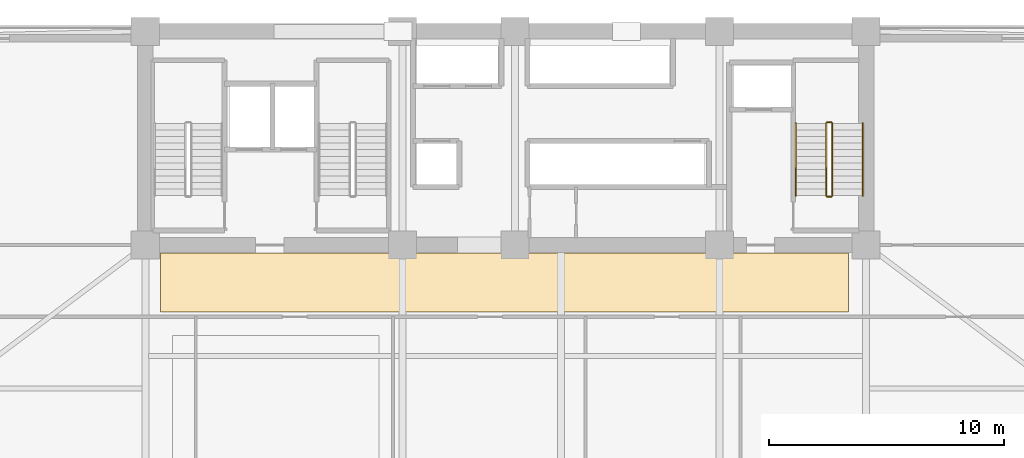
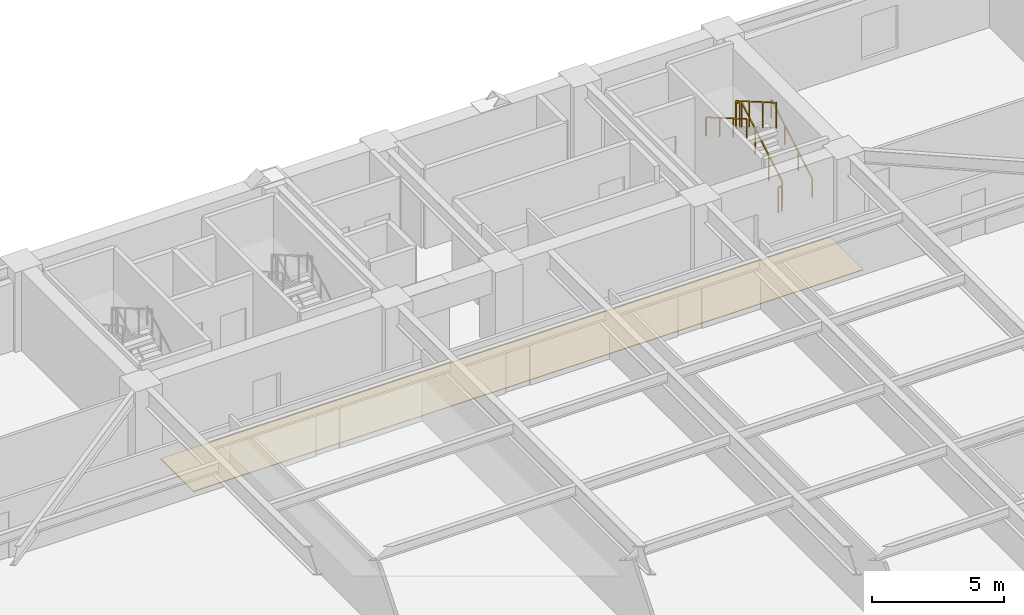
# One storey, part 16 of 17: 6 railings, 1 covering.
"""IFC4 building model written with IfcOpenShell, lengths in metres."""

import ifcopenshell
import ifcopenshell.guid

model = None  # the IFC model being written
_history = None  # IfcOwnerHistory: only IFC2X3 demands one
_inside = {}  # id of a spatial element -> (the spatial element, [elements in it])
_under = {}  # id of a project, library or spatial element -> (it, [spatial elements below it])
_declared = {}  # id of a project -> (the project, [libraries it declares])
_typed = {}  # id of a type object -> (the type object, [elements of that type])
_made_of = {}  # id of a material, layer set ... -> (it, [elements and type objects made of it])


def new_model(schema):
    """Start an empty IFC model of exactly this schema.

    Asked for "IFC4X3", IfcOpenShell would pick the latest addendum, in which some entities
    have other attributes; the version numbers below select the first issue.
    IFC2X3 requires an IfcOwnerHistory on every rooted entity: one is made here for all.
    """
    global model, _history
    if schema == "IFC4X3":
        model = ifcopenshell.file(schema_version=(4, 3, 0, 0))
    else:
        model = ifcopenshell.file(schema=schema)
    _inside.clear()
    _under.clear()
    _declared.clear()
    _typed.clear()
    _made_of.clear()
    _history = None
    if model.schema == "IFC2X3":
        org = make("IfcOrganization", Name="unknown")
        user = make(
            "IfcPersonAndOrganization",
            ThePerson=make("IfcPerson", FamilyName="unknown"),
            TheOrganization=org,
        )
        app = make(
            "IfcApplication",
            ApplicationDeveloper=org,
            Version="unknown",
            ApplicationFullName="unknown",
            ApplicationIdentifier="unknown",
        )
        _history = make(
            "IfcOwnerHistory",
            OwningUser=user,
            OwningApplication=app,
            ChangeAction="ADDED",
            CreationDate=0,
        )
    return model


def make(cls, **values):
    """One entity of the class cls with the attributes given. An attribute that is None is left unset."""
    return model.create_entity(
        cls, **{name: value for name, value in values.items() if value is not None}
    )


def rooted(cls, **values):
    """An entity with a GlobalId (a new one), such as an element, a storey or a relation."""
    return make(cls, GlobalId=ifcopenshell.guid.new(), OwnerHistory=_history, **values)


def si_unit(unit_type, name, prefix=None):
    """IfcSIUnit, for example si_unit("LENGTHUNIT", "METRE", prefix="MILLI")."""
    return make("IfcSIUnit", UnitType=unit_type, Prefix=prefix, Name=name)


def assignment(units):
    """IfcUnitAssignment: the units of a project."""
    return None if units is None else make("IfcUnitAssignment", Units=units)


def point(xyz):
    """IfcCartesianPoint."""
    return None if xyz is None else make("IfcCartesianPoint", Coordinates=xyz)


def direction(xyz):
    """IfcDirection."""
    return None if xyz is None else make("IfcDirection", DirectionRatios=xyz)


def frame(location, z_axis=None, x_axis=None):
    """IfcAxis2Placement3D, a coordinate frame: its origin and axes. An axis left out is left unset."""
    return make(
        "IfcAxis2Placement3D",
        Location=point(location),
        Axis=direction(z_axis),
        RefDirection=direction(x_axis),
    )


def frame_2d(location, x_axis=None):
    """IfcAxis2Placement2D, a coordinate frame in the plane: its origin and x axis."""
    return make(
        "IfcAxis2Placement2D", Location=point(location), RefDirection=direction(x_axis)
    )


def origin():
    """The frame at (0, 0, 0) with its axes left unset."""
    return frame((0.0, 0.0, 0.0))


def origin_2d():
    """The frame at (0, 0) in the plane with its x axis left unset."""
    return frame_2d((0.0, 0.0))


def place(relative_to, where):
    """IfcLocalPlacement: puts the frame where relative to a parent placement (None: the world)."""
    return make(
        "IfcLocalPlacement", PlacementRelTo=relative_to, RelativePlacement=where
    )


def context(
    kind, dimensions, precision=None, world=None, true_north=None, identifier=None
):
    """IfcGeometricRepresentationContext, for example the 3D "Model" context."""
    return make(
        "IfcGeometricRepresentationContext",
        ContextIdentifier=identifier,
        ContextType=kind,
        CoordinateSpaceDimension=dimensions,
        Precision=precision,
        WorldCoordinateSystem=world,
        TrueNorth=true_north,
    )


def subcontext(parent, identifier, kind, view, scale=None):
    """IfcGeometricRepresentationSubContext, for example "Body" below "Model"."""
    return make(
        "IfcGeometricRepresentationSubContext",
        ContextIdentifier=identifier,
        ContextType=kind,
        ParentContext=parent,
        TargetScale=scale,
        TargetView=view,
    )


def project(units=None, contexts=None):
    """IfcProject with its units and contexts."""
    return rooted(
        "IfcProject",
        Name="project",
        RepresentationContexts=contexts,
        UnitsInContext=assignment(units),
    )


def spatial(cls, under=None, at=None, **own):
    """A site, building, storey or space (cls), placed at a placement, below another one or the project."""
    s = rooted(cls, ObjectPlacement=at, **own)
    if under is not None:
        _under.setdefault(under.id(), (under, []))[1].append(s)
    return s


def polyline(points):
    """IfcPolyline through the points."""
    return make("IfcPolyline", Points=[point(p) for p in points])


def profile(cls, at=None, kind="AREA", **sizes):
    """A parametric profile (cls). Its sizes go by their IFC names, for example OverallWidth=200.0."""
    return make(cls, ProfileType=kind, Position=at, **sizes)


def rectangle(**sizes):
    """IfcRectangleProfileDef."""
    return profile("IfcRectangleProfileDef", **sizes)


def outline(outer, holes=None, kind="AREA"):
    """IfcArbitraryClosedProfileDef: a profile drawn as a closed curve; with holes, ...WithVoids."""
    if holes is None:
        return make("IfcArbitraryClosedProfileDef", ProfileType=kind, OuterCurve=outer)
    return make(
        "IfcArbitraryProfileDefWithVoids",
        ProfileType=kind,
        OuterCurve=outer,
        InnerCurves=holes,
    )


def extrude(swept, where, along, depth):
    """IfcExtrudedAreaSolid: the profile swept, set in the frame where, extruded along a direction by depth."""
    return make(
        "IfcExtrudedAreaSolid",
        SweptArea=swept,
        Position=where,
        ExtrudedDirection=direction(along),
        Depth=depth,
    )


def shape(context_of_items, identifier, shape_type, items):
    """IfcShapeRepresentation: the items that make up one representation, for example the "Body"."""
    return make(
        "IfcShapeRepresentation",
        ContextOfItems=context_of_items,
        RepresentationIdentifier=identifier,
        RepresentationType=shape_type,
        Items=items,
    )


def material(Name=None, Category=None):
    """IfcMaterial."""
    return make("IfcMaterial", Name=Name, Category=Category)


def layer(
    of_material, thickness, ventilated=None, Name=None, Category=None, Priority=None
):
    """IfcMaterialLayer: one layer of a wall or slab, of a material (None: an air gap)."""
    return make(
        "IfcMaterialLayer",
        Material=of_material,
        LayerThickness=thickness,
        IsVentilated=ventilated,
        Name=Name,
        Category=Category,
        Priority=Priority,
    )


def layer_set(layers, Name=None):
    """IfcMaterialLayerSet."""
    return make("IfcMaterialLayerSet", MaterialLayers=layers, LayerSetName=Name)


def made_of(thing, what):
    """Note that an element or type object is made of a material, layer set ...; save() writes the relation."""
    if what is not None:
        _made_of.setdefault(what.id(), (what, []))[1].append(thing)
    return thing


def type_object(cls, material=None, **own):
    """A type object (cls), such as IfcWallType, which elements share."""
    return made_of(rooted(cls, **own), material)


def element(
    cls,
    number,
    at=None,
    inside=None,
    cuts=None,
    type_object=None,
    material=None,
    context=None,
    identifier="Body",
    shape_type=None,
    held_by="IfcProductDefinitionShape",
    body=None,
    shapes=None,
    **own,
):
    """One element of the class cls, such as IfcWall. Its Tag is "e" and its number.

    at: its placement. inside: the storey or other place that contains it. cuts: it is an
    opening in that element (IfcRelVoidsElement). A single representation is given by context,
    identifier, shape_type and body (its items); several are given by shapes. held_by: the class
    of the entity that holds the representations. save() writes the other relations.
    """
    e = rooted(cls, Tag="e%d" % number, ObjectPlacement=at, **own)
    if body is not None:
        shapes = [shape(context, identifier, shape_type, body)]
    if shapes is not None:
        e.Representation = make(held_by, Representations=shapes)
    if inside is not None:
        _inside.setdefault(inside.id(), (inside, []))[1].append(e)
    if cuts is not None:
        rooted(
            "IfcRelVoidsElement", RelatingBuildingElement=cuts, RelatedOpeningElement=e
        )
    if type_object is not None:
        _typed.setdefault(type_object.id(), (type_object, []))[1].append(e)
    return made_of(e, material)


def aggregate(whole, parts):
    """IfcRelAggregates: a whole, such as a stair, and the parts it consists of."""
    return rooted("IfcRelAggregates", RelatingObject=whole, RelatedObjects=parts)


def save(model, path):
    """Write the relations noted so far, then the file.

    IfcRelAggregates (storeys below a building ...), IfcRelContainedInSpatialStructure (elements
    in a storey), IfcRelDefinesByType, IfcRelAssociatesMaterial and IfcRelDeclares: one each for
    every whole, place, type object, material and project.
    """
    for whole, parts in _under.values():
        aggregate(whole, parts)
    for where, things in _inside.values():
        rooted(
            "IfcRelContainedInSpatialStructure",
            RelatedElements=things,
            RelatingStructure=where,
        )
    for kind, things in _typed.values():
        rooted("IfcRelDefinesByType", RelatedObjects=things, RelatingType=kind)
    for what, things in _made_of.values():
        rooted("IfcRelAssociatesMaterial", RelatedObjects=things, RelatingMaterial=what)
    for by, libraries in _declared.values():
        rooted("IfcRelDeclares", RelatingContext=by, RelatedDefinitions=libraries)
    model.write(path)


model = new_model("IFC4")

# Units and contexts
model_context = context("Model", 3, precision=1e-05, world=origin(), true_north=direction((0.0, 1.0)))
body_context = subcontext(model_context, "Body", "Model", "MODEL_VIEW")
ifc_project = project(units=[si_unit("LENGTHUNIT", "METRE"), si_unit("AREAUNIT", "SQUARE_METRE"), si_unit("VOLUMEUNIT", "CUBIC_METRE"), si_unit("PLANEANGLEUNIT", "RADIAN"), si_unit("MASSUNIT", "GRAM", prefix="KILO")], contexts=[model_context])

# Site, building, storey
site_placement = place(None, origin())
site = spatial("IfcSite", under=ifc_project, at=site_placement, CompositionType="ELEMENT")
building_placement = place(site_placement, origin())
building = spatial("IfcBuilding", under=site, at=building_placement, Name="Giltprow Tower", CompositionType="ELEMENT")
storey_placement = place(building_placement, frame((0.0, 0.0, 53.300048828125)))
storey = spatial("IfcBuildingStorey", under=building, at=storey_placement, Name="L13", CompositionType="ELEMENT", Elevation=53.300048828125)

# Covering
ifc_material_1 = material(Name="Honed granite", Category="masonry")
ifc_layer = layer(ifc_material_1, 0.030029296875, Name="Honed granite")
ifc_layer_set = layer_set([ifc_layer], Name="Honed granite")
covering_type = type_object("IfcCoveringType", Name="COV-FLR-STONE", PredefinedType="FLOORING", material=ifc_layer_set)
covering_placement = place(storey_placement, origin())
element("IfcCovering", 1, at=covering_placement, inside=storey, type_object=covering_type, Name="L13 Office Corridor Stone Flooring", PredefinedType="FLOORING", context=body_context, shape_type="SweptSolid", body=[
    extrude(outline(polyline([(20.5, 34.60009765625), (49.800048828125, 34.60009765625), (49.800048828125, 37.10009765625), (20.5, 37.10009765625), (20.5, 34.60009765625)])), origin(), (0.0, 0.0, 1.0), 0.030029296875),
])

# Railings
ifc_material_2 = material(Name="Anodized bronze", Category="metal")
railing_type_1 = type_object("IfcRailingType", Name="RAIL-STAIR-GUARD-1200", PredefinedType="GUARDRAIL", material=ifc_material_2)
railing_1_placement = place(storey_placement, frame((49.110107421875, 39.550048828125, 0.162353515625)))
element("IfcRailing", 2, at=railing_1_placement, inside=storey, type_object=railing_type_1, Name="L13 ST-3 stair guard 1", PredefinedType="GUARDRAIL", context=body_context, shape_type="SweptSolid", body=[
    extrude(rectangle(XDim=0.048095703125, YDim=0.048095703125, at=origin_2d()), frame((0.0, 0.0, 1.17578125), z_axis=(0.0, 0.864873446163, 0.501989962173), x_axis=(-1.0, 0.0, 0.0)), (0.0, 0.0, 1.0), 3.56103515625),
    extrude(rectangle(XDim=0.0419921875, YDim=0.0419921875, at=origin_2d()), origin(), (0.0, 0.0, 1.0), 1.15185546875),
    extrude(rectangle(XDim=0.0419921875, YDim=0.0419921875, at=origin_2d()), frame((0.0, 1.026611328125, 0.595947265625)), (0.0, 0.0, 1.0), 1.15185546875),
    extrude(rectangle(XDim=0.0419921875, YDim=0.0419921875, at=origin_2d()), frame((0.0, 2.05322265625, 1.191650390625)), (0.0, 0.0, 1.0), 1.15185546875),
    extrude(rectangle(XDim=0.0419921875, YDim=0.0419921875, at=origin_2d()), frame((0.0, 3.079833984375, 1.78759765625)), (0.0, 0.0, 1.0), 1.15185546875),
])
railing_2_placement = place(storey_placement, frame((49.06005859375, 42.679931640625, 1.949951171875)))
element("IfcRailing", 3, at=railing_2_placement, inside=storey, type_object=railing_type_1, Name="L13 ST-3 stair guard 2", PredefinedType="GUARDRAIL", context=body_context, shape_type="SweptSolid", body=[
    extrude(rectangle(XDim=0.048095703125, YDim=0.048095703125, at=origin_2d()), frame((0.0, 0.0, 1.17578125), z_axis=(-1.0, 0.0, 0.0), x_axis=(0.0, -1.0, 0.0)), (0.0, 0.0, 1.0), 0.16015625),
    extrude(rectangle(XDim=0.0419921875, YDim=0.0419921875, at=origin_2d()), origin(), (0.0, 0.0, 1.0), 1.15185546875),
    extrude(rectangle(XDim=0.0419921875, YDim=0.0419921875, at=origin_2d()), frame((-0.16015625, 0.0, 0.0)), (0.0, 0.0, 1.0), 1.15185546875),
])
railing_3_placement = place(storey_placement, frame((48.85009765625, 42.6298828125, 2.112548828125)))
element("IfcRailing", 4, at=railing_3_placement, inside=storey, type_object=railing_type_1, Name="L13 ST-3 stair guard 3", PredefinedType="GUARDRAIL", context=body_context, shape_type="SweptSolid", body=[
    extrude(rectangle(XDim=0.048095703125, YDim=0.048095703125, at=origin_2d()), frame((0.0, 0.0, 1.17578125), z_axis=(0.0, -0.864903211148, 0.501938676878), x_axis=(1.0, 0.0, 0.0)), (0.0, 0.0, 1.0), 3.560791015625),
    extrude(rectangle(XDim=0.0419921875, YDim=0.0419921875, at=origin_2d()), origin(), (0.0, 0.0, 1.0), 1.15185546875),
    extrude(rectangle(XDim=0.0419921875, YDim=0.0419921875, at=origin_2d()), frame((0.0, -1.026611328125, 0.595703125)), (0.0, 0.0, 1.0), 1.15185546875),
    extrude(rectangle(XDim=0.0419921875, YDim=0.0419921875, at=origin_2d()), frame((0.0, -2.05322265625, 1.191650390625)), (0.0, 0.0, 1.0), 1.15185546875),
    extrude(rectangle(XDim=0.0419921875, YDim=0.0419921875, at=origin_2d()), frame((0.0, -3.079833984375, 1.787353515625)), (0.0, 0.0, 1.0), 1.15185546875),
])
railing_4_placement = place(storey_placement, frame((49.06005859375, 39.5, 0.0)))
element("IfcRailing", 5, at=railing_4_placement, inside=storey, type_object=railing_type_1, Name="L13 ST-3 stair guard 4", PredefinedType="GUARDRAIL", context=body_context, shape_type="SweptSolid", body=[
    extrude(rectangle(XDim=0.048095703125, YDim=0.048095703125, at=origin_2d()), frame((0.0, 0.0, 1.17578125), z_axis=(-1.0, 0.0, 0.0), x_axis=(0.0, -1.0, 0.0)), (0.0, 0.0, 1.0), 0.16015625),
    extrude(rectangle(XDim=0.0419921875, YDim=0.0419921875, at=origin_2d()), origin(), (0.0, 0.0, 1.0), 1.15185546875),
    extrude(rectangle(XDim=0.0419921875, YDim=0.0419921875, at=origin_2d()), frame((-0.16015625, 0.0, 0.0)), (0.0, 0.0, 1.0), 1.15185546875),
])
railing_type_2 = type_object("IfcRailingType", Name="RAIL-STAIR-HAND-900", PredefinedType="HANDRAIL", material=ifc_material_2)
railing_5_placement = place(storey_placement, frame((50.409912109375, 39.550048828125, 0.162353515625)))
element("IfcRailing", 6, at=railing_5_placement, inside=storey, type_object=railing_type_2, Name="L13 ST-3 stair handrail 1", PredefinedType="HANDRAIL", context=body_context, shape_type="SweptSolid", body=[
    extrude(rectangle(XDim=0.048095703125, YDim=0.048095703125, at=origin_2d()), frame((0.0, 0.0, 0.8759765625), z_axis=(0.0, 0.864873446163, 0.501989962173), x_axis=(-1.0, 0.0, 0.0)), (0.0, 0.0, 1.0), 3.56103515625),
    extrude(rectangle(XDim=0.0419921875, YDim=0.0419921875, at=origin_2d()), origin(), (0.0, 0.0, 1.0), 0.851806640625),
    extrude(rectangle(XDim=0.0419921875, YDim=0.0419921875, at=origin_2d()), frame((0.0, 1.026611328125, 0.595947265625)), (0.0, 0.0, 1.0), 0.851806640625),
    extrude(rectangle(XDim=0.0419921875, YDim=0.0419921875, at=origin_2d()), frame((0.0, 2.05322265625, 1.191650390625)), (0.0, 0.0, 1.0), 0.851806640625),
    extrude(rectangle(XDim=0.0419921875, YDim=0.0419921875, at=origin_2d()), frame((0.0, 3.079833984375, 1.78759765625)), (0.0, 0.0, 1.0), 0.851806640625),
])
railing_6_placement = place(storey_placement, frame((47.550048828125, 42.6298828125, 2.112548828125)))
element("IfcRailing", 7, at=railing_6_placement, inside=storey, type_object=railing_type_2, Name="L13 ST-3 stair handrail 2", PredefinedType="HANDRAIL", context=body_context, shape_type="SweptSolid", body=[
    extrude(rectangle(XDim=0.048095703125, YDim=0.048095703125, at=origin_2d()), frame((0.0, 0.0, 0.8759765625), z_axis=(0.0, -0.864903211148, 0.501938676878), x_axis=(1.0, 0.0, 0.0)), (0.0, 0.0, 1.0), 3.560791015625),
    extrude(rectangle(XDim=0.0419921875, YDim=0.0419921875, at=origin_2d()), origin(), (0.0, 0.0, 1.0), 0.851806640625),
    extrude(rectangle(XDim=0.0419921875, YDim=0.0419921875, at=origin_2d()), frame((0.0, -1.026611328125, 0.595703125)), (0.0, 0.0, 1.0), 0.851806640625),
    extrude(rectangle(XDim=0.0419921875, YDim=0.0419921875, at=origin_2d()), frame((0.0, -2.05322265625, 1.191650390625)), (0.0, 0.0, 1.0), 0.851806640625),
    extrude(rectangle(XDim=0.0419921875, YDim=0.0419921875, at=origin_2d()), frame((0.0, -3.079833984375, 1.787353515625)), (0.0, 0.0, 1.0), 0.851806640625),
])

save(model, "model.ifc")
